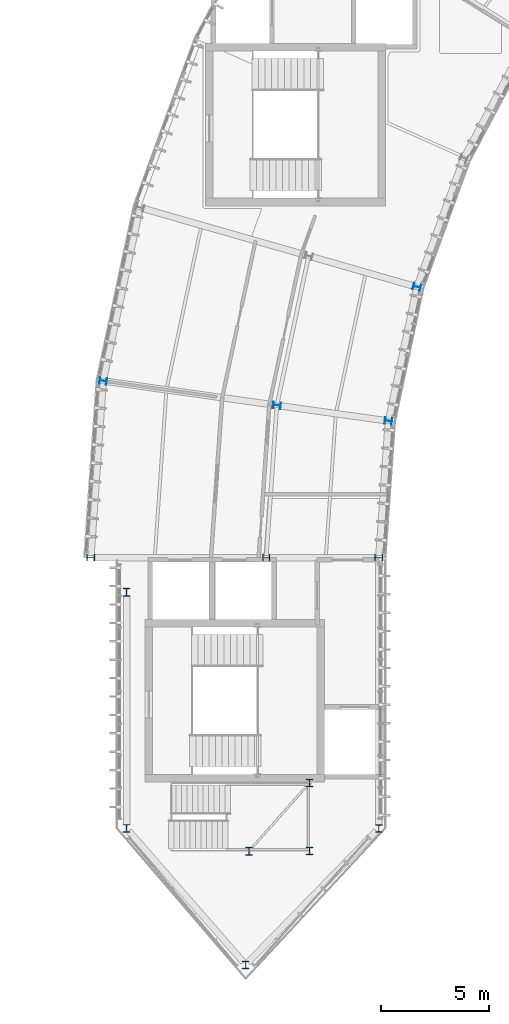
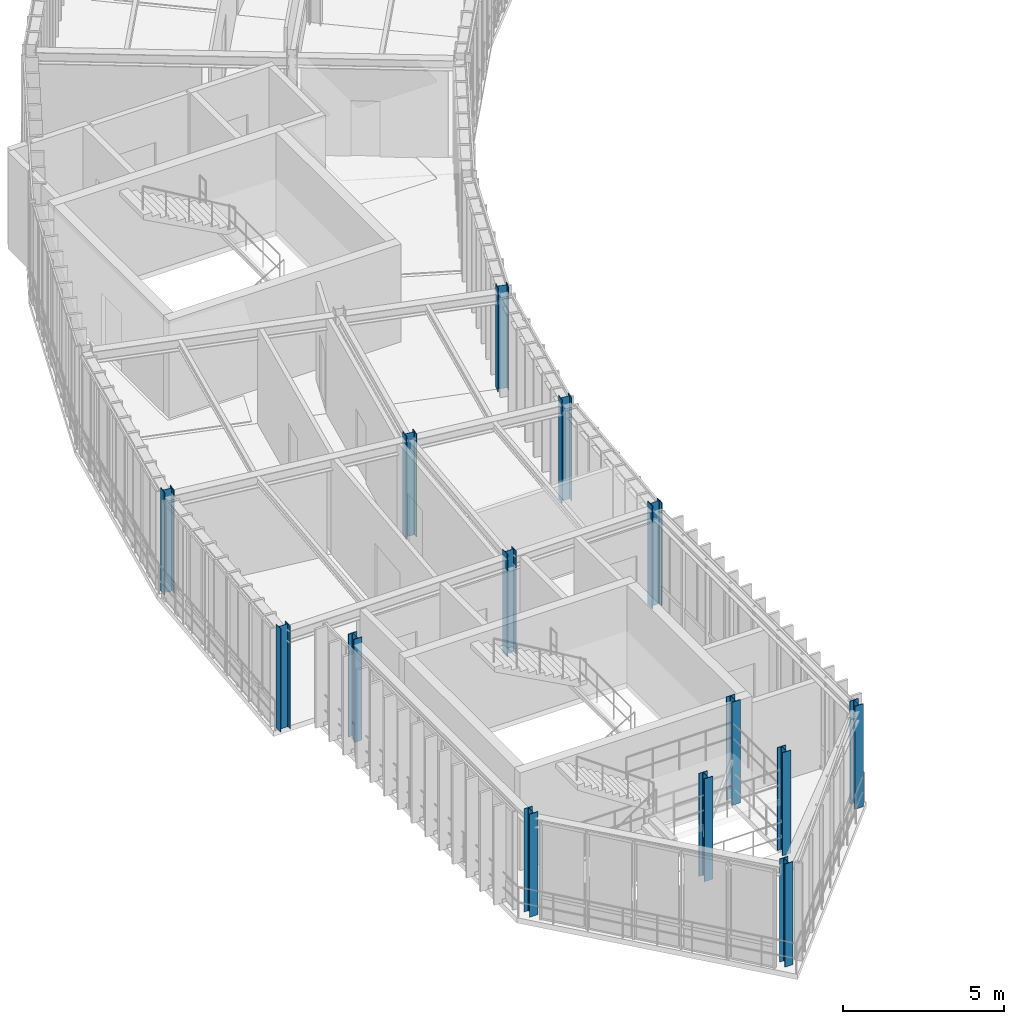
# One storey, part 1 of 41: 14 columns.
"""IFC4 building model written with IfcOpenShell, lengths in metres."""

from ifc_helpers import new_model, si_unit, direction, frame, origin, origin_2d, place, context, subcontext, project, spatial, i_section, extrude, material, material_profile, profile_set, type_object, element, save


model = new_model("IFC4")

# Units and contexts
model_context = context("Model", 3, precision=1e-05, world=origin(), true_north=direction((0.0, 1.0)))
body_context = subcontext(model_context, "Body", "Model", "MODEL_VIEW")
ifc_project = project(units=[si_unit("LENGTHUNIT", "METRE"), si_unit("AREAUNIT", "SQUARE_METRE"), si_unit("VOLUMEUNIT", "CUBIC_METRE"), si_unit("PLANEANGLEUNIT", "RADIAN"), si_unit("MASSUNIT", "GRAM", prefix="KILO"), si_unit("THERMODYNAMICTEMPERATUREUNIT", "KELVIN"), si_unit("POWERUNIT", "WATT")], contexts=[model_context])

# Site, building, storey
site_placement = place(None, origin())
site = spatial("IfcSite", under=ifc_project, at=site_placement, CompositionType="ELEMENT")
building_placement = place(site_placement, origin())
building = spatial("IfcBuilding", under=site, at=building_placement, Name="Solvatero Civic Police Headquarters", CompositionType="ELEMENT")
storey_placement = place(building_placement, frame((0.0, 0.0, 17.699951171875)))
storey = spatial("IfcBuildingStorey", under=building, at=storey_placement, Name="L04", CompositionType="ELEMENT", Elevation=17.699951171875)

# Columns
ifc_material = material(Name="Steel S355", Category="steel")
ifc_material_profile_1 = material_profile(ifc_material, i_section(OverallWidth=0.300048828125, OverallDepth=0.340087890625, WebThickness=0.011962890625, FlangeThickness=0.021484375, FilletRadius=0.027099609375, at=origin_2d()), Name="HEB 340")
ifc_profile_set_1 = profile_set([ifc_material_profile_1], Name="Steel S355")
column_type_1 = type_object("IfcColumnType", Name="COL-ST-HEB340", PredefinedType="COLUMN", material=ifc_profile_set_1)
for number, where, z_axis, x_axis, name in (
    (1, (49.09130859375, 32.3115234375, 0.0), (0.0, 0.0, 1.0), (0.13917310096, 0.990268068742, 0.0), "Column ARC-S11-IN L04"),
    (2, (35.9208984375, 34.16259765625, 0.0), (0.0, 0.0, 1.0), (0.13917310096, 0.990268068742, 0.0), "Column ARC-S11-OUT L04"),
    (3, (43.449951171875, 26.0, 0.0), (0.0, 0.0, 1.0), (0.0, 1.0, 0.0), "Column ARC-S12-MID L04"),
    (4, (48.64990234375, 13.5, 0.0), (0.0, 0.0, 1.0), (1.0, 0.0, 0.0), "Column PROW-SE L04"),
    (5, (42.5, 7.199951171875, 0.0), (0.0, 0.0, 1.0), (1.0, 0.0, 0.0), "Column PROW-TIP L04"),
    (6, (45.449951171875, 12.449951171875, 0.0), (0.0, 0.0, 1.0), (1.0, 0.0, 0.0), "Column PRWS2 L04"),
):
    element("IfcColumn", number, at=place(storey_placement, frame(where, z_axis=z_axis, x_axis=x_axis)), inside=storey, type_object=column_type_1, Name=name, PredefinedType="COLUMN", context=body_context, shape_type="SweptSolid", body=[
        extrude(i_section(OverallWidth=0.300048828125, OverallDepth=0.340087890625, WebThickness=0.011962890625, FlangeThickness=0.021484375, FilletRadius=0.027099609375, at=origin_2d()), origin(), (0.0, 0.0, 1.0), 3.900146484375),
    ])
ifc_material_profile_2 = material_profile(ifc_material, i_section(OverallWidth=0.300048828125, OverallDepth=0.360107421875, WebThickness=0.012451171875, FlangeThickness=0.0224609375, FilletRadius=0.027099609375, at=origin_2d()), Name="HEB 360")
ifc_profile_set_2 = profile_set([ifc_material_profile_2], Name="Steel S355")
column_type_2 = type_object("IfcColumnType", Name="COL-ST-HEB360", PredefinedType="COLUMN", material=ifc_profile_set_2)
for number, where, z_axis, x_axis, name in (
    (7, (50.40673828125, 38.500244140625, 0.0), (0.0, 0.0, 1.0), (0.275637355817, 0.961261695938, 0.0), "Column ARC-S10-IN L04"),
    (8, (43.94189453125, 33.03515625, 0.0), (0.0, 0.0, 1.0), (0.13917310096, 0.990268068742, 0.0), "Column ARC-S11-MID L04"),
    (9, (48.64990234375, 26.0, 0.0), (0.0, 0.0, 1.0), (0.0, 1.0, 0.0), "Column ARC-S12-IN L04"),
    (10, (35.35009765625, 26.0, 0.0), (0.0, 0.0, 1.0), (0.0, 1.0, 0.0), "Column ARC-S12-OUT L04"),
    (11, (37.0, 24.39990234375, 0.0), (0.0, 0.0, 1.0), (1.0, 0.0, 0.0), "Column PROW-NW L04"),
    (12, (37.0, 13.5, 0.0), (0.0, 0.0, 1.0), (1.0, 0.0, 0.0), "Column PROW-SW L04"),
    (13, (42.64990234375, 12.449951171875, 0.0), (0.0, 0.0, 1.0), (1.0, 0.0, 0.0), "Column PRWS1 L04"),
    (14, (45.449951171875, 15.60009765625, 0.0), (0.0, 0.0, 1.0), (1.0, 0.0, 0.0), "Column PRWS3 L04"),
):
    element("IfcColumn", number, at=place(storey_placement, frame(where, z_axis=z_axis, x_axis=x_axis)), inside=storey, type_object=column_type_2, Name=name, PredefinedType="COLUMN", context=body_context, shape_type="SweptSolid", body=[
        extrude(i_section(OverallWidth=0.300048828125, OverallDepth=0.360107421875, WebThickness=0.012451171875, FlangeThickness=0.0224609375, FilletRadius=0.027099609375, at=origin_2d()), origin(), (0.0, 0.0, 1.0), 3.900146484375),
    ])

save(model, "model.ifc")
